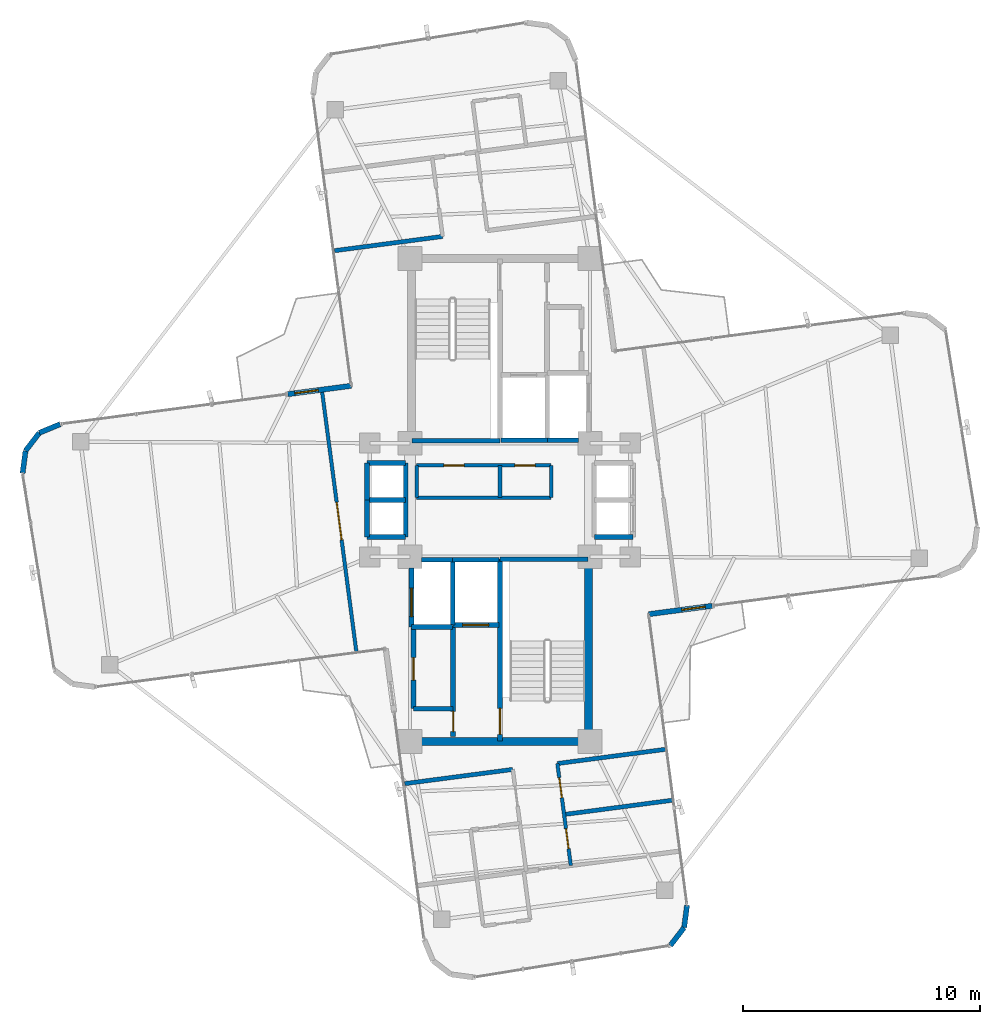
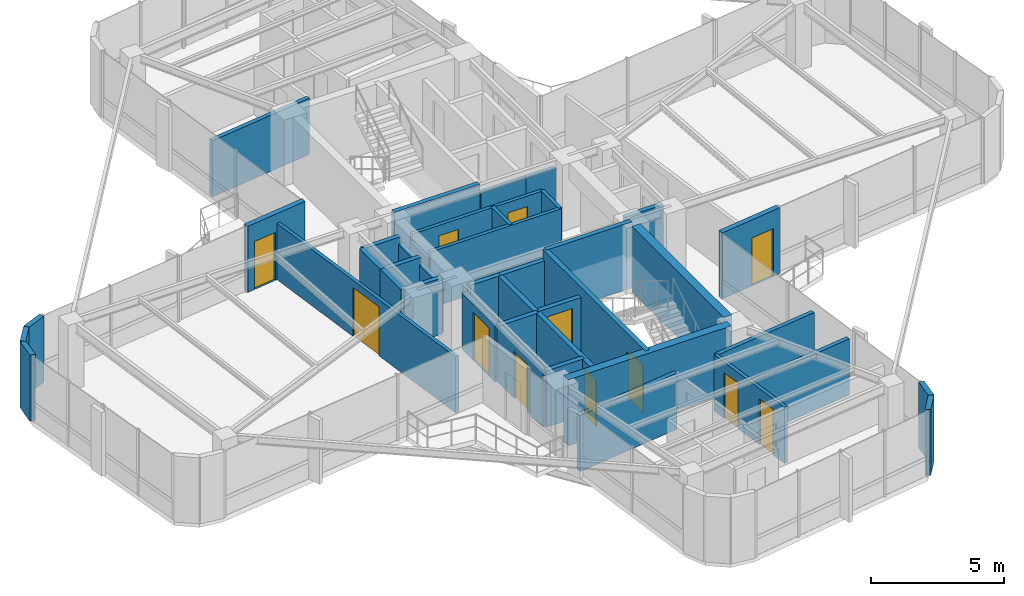
# One storey, part 19 of 22: 41 walls, 12 doors, 12 openings.
"""IFC4 building model written with IfcOpenShell, lengths in metres."""

from ifc_helpers import new_model, si_unit, direction, frame, frame_2d, origin, origin_2d, place, context, subcontext, project, spatial, rectangle, extrude, source, transform, mapped, material, layer, layer_set, type_object, element, fill, save


model = new_model("IFC4")

# Units and contexts
model_context = context("Model", 3, precision=1e-05, world=origin(), true_north=direction((0.0, 1.0)))
body_context = subcontext(model_context, "Body", "Model", "MODEL_VIEW")
ifc_project = project(units=[si_unit("LENGTHUNIT", "METRE"), si_unit("AREAUNIT", "SQUARE_METRE"), si_unit("VOLUMEUNIT", "CUBIC_METRE"), si_unit("PLANEANGLEUNIT", "RADIAN"), si_unit("MASSUNIT", "GRAM", prefix="KILO")], contexts=[model_context])

# Site, building, storey
site_placement = place(None, origin())
site = spatial("IfcSite", under=ifc_project, at=site_placement, CompositionType="ELEMENT")
building_placement = place(site_placement, origin())
building = spatial("IfcBuilding", under=site, at=building_placement, Name="Sahyath Konkavel Grand Hotel", CompositionType="ELEMENT")
storey_placement = place(building_placement, frame((0.0, 0.0, 261.25)))
storey = spatial("IfcBuildingStorey", under=building, at=storey_placement, Name="L73", CompositionType="ELEMENT", Elevation=261.25)

# Walls
ifc_material_1 = material(Name="Concrete C40/50", Category="concrete")
ifc_layer_1 = layer(ifc_material_1, 0.35009765625)
ifc_layer_set_1 = layer_set([ifc_layer_1], Name="Concrete C40/50")
wall_type_1 = type_object("IfcWallType", Name="CWALL-350", PredefinedType="SHEAR", material=ifc_layer_set_1)
wall_1_placement = place(storey_placement, frame((-3.550048828125, -10.199951171875, 0.0), z_axis=(0.0, 0.0, 1.0), x_axis=(1.0, 0.0, 0.0)))
element("IfcWall", 1, at=wall_1_placement, inside=storey, type_object=wall_type_1, Name="L73 South Core Shear Wall S", PredefinedType="SHEAR", context=body_context, shape_type="SweptSolid", body=[
    extrude(rectangle(XDim=7.10009765625, YDim=0.35009765625, at=frame_2d((3.550048828125, 0.0))), origin(), (0.0, 0.0, 1.0), 3.030029296875),
])
wall_2_placement = place(storey_placement, frame((3.739990234375, -9.75, 0.0), z_axis=(0.0, 0.0, 1.0), x_axis=(0.0, 1.0, 0.0)))
element("IfcWall", 2, at=wall_2_placement, inside=storey, type_object=wall_type_1, Name="L73 South Core Shear Wall E", PredefinedType="SHEAR", context=body_context, shape_type="SweptSolid", body=[
    extrude(rectangle(XDim=6.89990234375, YDim=0.35009765625, at=frame_2d((3.449951171875, 0.0))), origin(), (0.0, 0.0, 1.0), 3.030029296875),
])

# Wall, opening, door
ifc_material_2 = material(Name="Warm Buff Sandstone Insulated Concrete C40/50", Category="masonry")
ifc_layer_2 = layer(ifc_material_2, 0.219970703125)
ifc_layer_set_2 = layer_set([ifc_layer_2], Name="Warm Buff Sandstone Insulated Concrete C40/50")
wall_type_2 = type_object("IfcWallType", Name="WLL-BALC-THRESH", PredefinedType="STANDARD", material=ifc_layer_set_2)
wall_3_placement = place(storey_placement, frame((6.282958984375, -4.821044921875, 0.0), z_axis=(0.0, 0.0, 1.0), x_axis=(0.991451525486, 0.130475563272, 0.0)))
wall_3 = element("IfcWall", 3, at=wall_3_placement, inside=storey, type_object=wall_type_2, Name="L73 Winter-Garden Threshold Wall 0", PredefinedType="STANDARD", context=body_context, shape_type="SweptSolid", body=[
    extrude(rectangle(XDim=2.7001953125, YDim=0.219970703125, at=frame_2d((1.35009765625, 0.0))), origin(), (0.0, 0.0, 1.0), 3.030029296875),
])
opening_1_placement = place(wall_3_placement, frame((1.39990234375, 0.0, 0.0)))
opening_1 = element("IfcOpeningElement", 4, at=opening_1_placement, cuts=wall_3, Name="Opening D-TR1", PredefinedType="OPENING", context=body_context, shape_type="SweptSolid", body=[
    extrude(rectangle(XDim=1.0, YDim=2.199951171875, at=frame_2d((0.5, 1.10009765625))), frame((0.0, 0.1201171875, 0.0), z_axis=(0.0, -1.0, 0.0), x_axis=(1.0, 0.0, 0.0)), (0.0, 0.0, 1.0), 0.239990234375),
])
ifc_material_3 = material(Name="Anodised Bronze Aluminium & Low-E Glazing", Category="aluminium")
door_type_1 = type_object("IfcDoorType", Name="DR-TERRACE-1000", OperationType="NOTDEFINED", PredefinedType="DOOR", material=ifc_material_3)
shared_shape_1 = source(origin(), body_context, "Body", "SweptSolid", [
    extrude(rectangle(XDim=1.0, YDim=0.050048828125, at=origin_2d()), origin(), (0.0, 0.0, 1.0), 2.199951171875),
])
door_1_placement = place(opening_1_placement, frame((0.5, 0.0, 0.0)))
door_1 = element("IfcDoor", 5, at=door_1_placement, inside=storey, type_object=door_type_1, Name="L73 Winter-Garden Terrace Door 0", OperationType="SINGLE_SWING_LEFT", OverallHeight=2.199951171875, OverallWidth=1.0, PredefinedType="DOOR", context=body_context, shape_type="MappedRepresentation", body=[
    mapped(shared_shape_1, transform((0.0, 0.0, 0.0), scale=1.0)),
])
fill(opening_1, door_1)

wall_4_placement = place(storey_placement, frame((-6.282958984375, 4.821044921875, 0.0), z_axis=(0.0, 0.0, 1.0), x_axis=(-0.991451525486, -0.130475563272, 0.0)))
wall_4 = element("IfcWall", 6, at=wall_4_placement, inside=storey, type_object=wall_type_2, Name="L73 Winter-Garden Threshold Wall 16", PredefinedType="STANDARD", context=body_context, shape_type="SweptSolid", body=[
    extrude(rectangle(XDim=2.7001953125, YDim=0.219970703125, at=frame_2d((1.35009765625, 0.0))), origin(), (0.0, 0.0, 1.0), 3.030029296875),
])
opening_2_placement = place(wall_4_placement, frame((1.39990234375, 0.0, 0.0)))
opening_2 = element("IfcOpeningElement", 7, at=opening_2_placement, cuts=wall_4, Name="Opening D-TR1", PredefinedType="OPENING", context=body_context, shape_type="SweptSolid", body=[
    extrude(rectangle(XDim=1.0, YDim=2.199951171875, at=frame_2d((0.5, 1.10009765625))), frame((0.0, 0.1201171875, 0.0), z_axis=(0.0, -1.0, 0.0), x_axis=(1.0, 0.0, 0.0)), (0.0, 0.0, 1.0), 0.239990234375),
])
door_2_placement = place(opening_2_placement, frame((0.5, 0.0, 0.0)))
door_2 = element("IfcDoor", 8, at=door_2_placement, inside=storey, type_object=door_type_1, Name="L73 Winter-Garden Terrace Door 16", OperationType="SINGLE_SWING_LEFT", OverallHeight=2.199951171875, OverallWidth=1.0, PredefinedType="DOOR", context=body_context, shape_type="MappedRepresentation", body=[
    mapped(shared_shape_1, transform((0.0, 0.0, 0.0), scale=1.0)),
])
fill(opening_2, door_2)

# Walls
wall_5_placement = place(storey_placement, frame((-18.56689453125, 3.203857421875, 0.0), z_axis=(0.0, 0.0, 1.0), x_axis=(-0.923926759112, -0.382569397359, 0.0)))
element("IfcWall", 9, at=wall_5_placement, inside=storey, type_object=wall_type_2, Name="L73 Rounded Corner Sandstone Pier 17", PredefinedType="STANDARD", context=body_context, shape_type="SweptSolid", body=[
    extrude(rectangle(XDim=0.957763671875, YDim=0.219970703125, at=frame_2d((0.47900390625, 0.0))), origin(), (0.0, 0.0, 1.0), 3.030029296875),
])
for number, where, z_axis, x_axis, name in (
    (10, (-19.451904296875, 2.83740234375, 0.0), (0.0, 0.0, 1.0), (-0.60861352168, -0.793466811674, 0.0), "L73 Rounded Corner Sandstone Pier 18"),
    (11, (-20.03466796875, 2.07763671875, 0.0), (0.0, 0.0, 1.0), (-0.13056005306, -0.991440402921, 0.0), "L73 Rounded Corner Sandstone Pier 19"),
    (12, (7.1923828125, -18.814208984375, 0.0), (0.0, 0.0, 1.0), (0.608897151398, 0.793249178392, 0.0), "L73 Rounded Corner Sandstone Pier 29"),
):
    element("IfcWall", number, at=place(storey_placement, frame(where, z_axis=z_axis, x_axis=x_axis)), inside=storey, type_object=wall_type_2, Name=name, PredefinedType="STANDARD", context=body_context, shape_type="SweptSolid", body=[
        extrude(rectangle(XDim=0.95751953125, YDim=0.219970703125, at=frame_2d((0.478759765625, 0.0))), origin(), (0.0, 0.0, 1.0), 3.030029296875),
    ])
wall_6_placement = place(storey_placement, frame((7.775390625, -18.0546875, 0.0), z_axis=(0.0, 0.0, 1.0), x_axis=(0.130494070426, 0.991449089759, 0.0)))
element("IfcWall", 13, at=wall_6_placement, inside=storey, type_object=wall_type_2, Name="L73 Rounded Corner Sandstone Pier 30", PredefinedType="STANDARD", context=body_context, shape_type="SweptSolid", body=[
    extrude(rectangle(XDim=0.9580078125, YDim=0.219970703125, at=frame_2d((0.47900390625, 0.0))), origin(), (0.0, 0.0, 1.0), 3.030029296875),
])
ifc_layer_3 = layer(ifc_material_1, 0.199951171875)
ifc_layer_set_3 = layer_set([ifc_layer_3], Name="Concrete C40/50")
wall_type_3 = type_object("IfcWallType", Name="WLL-CORE-200", PredefinedType="SOLIDWALL", material=ifc_layer_set_3)
wall_7_placement = place(storey_placement, frame((-3.719970703125, 2.5, 0.0), z_axis=(0.0, 0.0, 1.0), x_axis=(1.0, 0.0, 0.0)))
element("IfcWall", 14, at=wall_7_placement, inside=storey, type_object=wall_type_3, Name="L73 Stair ST-1 Shaft Wall S", PredefinedType="SOLIDWALL", context=body_context, shape_type="SweptSolid", body=[
    extrude(rectangle(XDim=3.719970703125, YDim=0.199951171875, at=frame_2d((1.85986328125, 0.0))), origin(), (0.0, 0.0, 1.0), 3.030029296875),
])

# Wall, opening, door
wall_8_placement = place(storey_placement, frame((0.0, -10.179931640625, 0.0), z_axis=(0.0, 0.0, 1.0), x_axis=(0.0, 1.0, 0.0)))
wall_8 = element("IfcWall", 15, at=wall_8_placement, inside=storey, type_object=wall_type_3, Name="L73 Stair ST-2 Shaft Wall W", PredefinedType="SOLIDWALL", context=body_context, shape_type="SweptSolid", body=[
    extrude(rectangle(XDim=7.679931640625, YDim=0.199951171875, at=frame_2d((3.83984375, 0.0))), origin(), (0.0, 0.0, 1.0), 3.030029296875),
])
opening_3_placement = place(wall_8_placement, frame((0.280029296875, 0.0, 0.0)))
opening_3 = element("IfcOpeningElement", 16, at=opening_3_placement, cuts=wall_8, Name="Opening D-F12B", PredefinedType="OPENING", context=body_context, shape_type="SweptSolid", body=[
    extrude(rectangle(XDim=1.10009765625, YDim=2.14990234375, at=frame_2d((0.550048828125, 1.074951171875))), frame((0.0, 0.10986328125, 0.0), z_axis=(0.0, -1.0, 0.0), x_axis=(1.0, 0.0, 0.0)), (0.0, 0.0, 1.0), 0.219970703125),
])
ifc_material_4 = material(Name="Steel E350 Smokeproof Fire Door", Category="steel")
door_type_2 = type_object("IfcDoorType", Name="DR-FD120-1100", OperationType="NOTDEFINED", PredefinedType="DOOR", material=ifc_material_4)
shared_shape_2 = source(origin(), body_context, "Body", "SweptSolid", [
    extrude(rectangle(XDim=1.10009765625, YDim=0.050048828125, at=origin_2d()), origin(), (0.0, 0.0, 1.0), 2.14990234375),
])
door_3_placement = place(opening_3_placement, frame((0.550048828125, 0.0, 0.0)))
door_3 = element("IfcDoor", 17, at=door_3_placement, inside=storey, type_object=door_type_2, Name="L73 Stair ST-2 Fire Door", OperationType="SINGLE_SWING_RIGHT", OverallHeight=2.14990234375, OverallWidth=1.10009765625, PredefinedType="DOOR", context=body_context, shape_type="MappedRepresentation", body=[
    mapped(shared_shape_2, transform((0.0, 0.0, 0.0), scale=1.0)),
])
fill(opening_3, door_3)

# Wall
wall_9_placement = place(storey_placement, frame((0.0, -2.5, 0.0), z_axis=(0.0, 0.0, 1.0), x_axis=(1.0, 0.0, 0.0)))
element("IfcWall", 18, at=wall_9_placement, inside=storey, type_object=wall_type_3, Name="L73 Stair ST-2 Shaft Wall N", PredefinedType="SOLIDWALL", context=body_context, shape_type="SweptSolid", body=[
    extrude(rectangle(XDim=3.719970703125, YDim=0.199951171875, at=frame_2d((1.85986328125, 0.0))), origin(), (0.0, 0.0, 1.0), 3.030029296875),
])

# Wall, opening, door
wall_10_placement = place(storey_placement, frame((-1.97998046875, -9.97998046875, 0.0), z_axis=(0.0, 0.0, 1.0), x_axis=(0.0, 1.0, 0.0)))
wall_10 = element("IfcWall", 19, at=wall_10_placement, inside=storey, type_object=wall_type_3, Name="L73 South Firefighting Lobby Wall W", PredefinedType="SOLIDWALL", context=body_context, shape_type="SweptSolid", body=[
    extrude(rectangle(XDim=4.659912109375, YDim=0.199951171875, at=frame_2d((2.330078125, 0.0))), origin(), (0.0, 0.0, 1.0), 2.580078125),
])
opening_4_placement = place(wall_10_placement, frame((0.199951171875, 0.0, 0.0)))
opening_4 = element("IfcOpeningElement", 20, at=opening_4_placement, cuts=wall_10, Name="Opening D-F12D", PredefinedType="OPENING", context=body_context, shape_type="SweptSolid", body=[
    extrude(rectangle(XDim=0.85009765625, YDim=2.10009765625, at=frame_2d((0.425048828125, 1.050048828125))), frame((0.0, 0.10986328125, 0.0), z_axis=(0.0, -1.0, 0.0), x_axis=(1.0, 0.0, 0.0)), (0.0, 0.0, 1.0), 0.219970703125),
])
ifc_material_5 = material(Name="Steel E350 Core Fire Door", Category="steel")
door_type_3 = type_object("IfcDoorType", Name="DR-FD120-850", OperationType="NOTDEFINED", PredefinedType="DOOR", material=ifc_material_5)
shared_shape_3 = source(origin(), body_context, "Body", "SweptSolid", [
    extrude(rectangle(XDim=0.85009765625, YDim=0.050048828125, at=origin_2d()), origin(), (0.0, 0.0, 1.0), 2.10009765625),
])
door_4_placement = place(opening_4_placement, frame((0.425048828125, 0.0, 0.0)))
door_4 = element("IfcDoor", 21, at=door_4_placement, inside=storey, type_object=door_type_3, Name="L73 South Firefighting Lobby Door", OperationType="SINGLE_SWING_RIGHT", OverallHeight=2.10009765625, OverallWidth=0.85009765625, PredefinedType="DOOR", context=body_context, shape_type="MappedRepresentation", body=[
    mapped(shared_shape_3, transform((0.0, 0.0, 0.0), scale=1.0)),
])
fill(opening_4, door_4)

# Walls
wall_11_placement = place(storey_placement, frame((0.050048828125, 2.52001953125, 0.0), z_axis=(0.0, 0.0, 1.0), x_axis=(1.0, 0.0, 0.0)))
element("IfcWall", 22, at=wall_11_placement, inside=storey, type_object=wall_type_3, Name="L73 Partition SH-FFL1-S", PredefinedType="SOLIDWALL", context=body_context, shape_type="SweptSolid", body=[
    extrude(rectangle(XDim=1.949951171875, YDim=0.199951171875, at=frame_2d((0.97509765625, 0.0))), origin(), (0.0, 0.0, 1.0), 2.580078125),
])
wall_12_placement = place(storey_placement, frame((-2.0, -5.280029296875, 0.0), z_axis=(0.0, 0.0, 1.0), x_axis=(0.0, 1.0, 0.0)))
element("IfcWall", 23, at=wall_12_placement, inside=storey, type_object=wall_type_3, Name="L73 Partition SH-FFL2-W", PredefinedType="SOLIDWALL", context=body_context, shape_type="SweptSolid", body=[
    extrude(rectangle(XDim=2.780029296875, YDim=0.199951171875, at=frame_2d((1.39013671875, 0.0))), origin(), (0.0, 0.0, 1.0), 2.580078125),
])
wall_13_placement = place(storey_placement, frame((-2.0, -2.52001953125, 0.0), z_axis=(0.0, 0.0, 1.0), x_axis=(1.0, 0.0, 0.0)))
element("IfcWall", 24, at=wall_13_placement, inside=storey, type_object=wall_type_3, Name="L73 Partition SH-FFL2-N", PredefinedType="SOLIDWALL", context=body_context, shape_type="SweptSolid", body=[
    extrude(rectangle(XDim=1.949951171875, YDim=0.199951171875, at=frame_2d((0.97509765625, 0.0))), origin(), (0.0, 0.0, 1.0), 2.580078125),
])

# Wall, opening, door
wall_14_placement = place(storey_placement, frame((-1.97998046875, -5.280029296875, 0.0), z_axis=(0.0, 0.0, 1.0), x_axis=(1.0, 0.0, 0.0)))
wall_14 = element("IfcWall", 25, at=wall_14_placement, inside=storey, type_object=wall_type_3, Name="L73 Partition SH-FFL2-S", PredefinedType="SOLIDWALL", context=body_context, shape_type="SweptSolid", body=[
    extrude(rectangle(XDim=1.929931640625, YDim=0.199951171875, at=frame_2d((0.96484375, 0.0))), origin(), (0.0, 0.0, 1.0), 2.580078125),
])
opening_5_placement = place(wall_14_placement, frame((0.39990234375, 0.0, 0.0)))
opening_5 = element("IfcOpeningElement", 26, at=opening_5_placement, cuts=wall_14, Name="Opening LD-11", PredefinedType="OPENING", context=body_context, shape_type="SweptSolid", body=[
    extrude(rectangle(XDim=1.10009765625, YDim=2.199951171875, at=frame_2d((0.550048828125, 1.10009765625))), frame((0.0, 0.10986328125, 0.0), z_axis=(0.0, -1.0, 0.0), x_axis=(1.0, 0.0, 0.0)), (0.0, 0.0, 1.0), 0.219970703125),
])
ifc_material_6 = material(Name="Bronze Lift Landing Door 1100")
door_type_4 = type_object("IfcDoorType", Name="DR-LIFT-1100", OperationType="DOUBLE_DOOR_SLIDING", PredefinedType="DOOR", material=ifc_material_6)
shared_shape_4 = source(origin(), body_context, "Body", "SweptSolid", [
    extrude(rectangle(XDim=1.10009765625, YDim=0.050048828125, at=origin_2d()), origin(), (0.0, 0.0, 1.0), 2.199951171875),
])
door_5_placement = place(opening_5_placement, frame((0.550048828125, 0.0, 0.0)))
door_5 = element("IfcDoor", 27, at=door_5_placement, inside=storey, type_object=door_type_4, Name="L73 Lift FFL-2 Landing Door", OperationType="DOUBLE_DOOR_SLIDING", OverallHeight=2.199951171875, OverallWidth=1.10009765625, PredefinedType="DOOR", context=body_context, shape_type="MappedRepresentation", body=[
    mapped(shared_shape_4, transform((0.0, 0.0, 0.0), scale=1.0)),
])
fill(opening_5, door_5)

# Walls
for number, where, z_axis, x_axis, name in (
    (28, (2.0, 2.52001953125, 0.0), (0.0, 0.0, 1.0), (1.0, 0.0, 0.0), "L73 Partition SH-SVL1-S"),
    (29, (-3.320068359375, -2.52001953125, 0.0), (0.0, 0.0, 1.0), (1.0, 0.0, 0.0), "L73 Partition SH-SVL2-N"),
):
    element("IfcWall", number, at=place(storey_placement, frame(where, z_axis=z_axis, x_axis=x_axis)), inside=storey, type_object=wall_type_3, Name=name, PredefinedType="SOLIDWALL", context=body_context, shape_type="SweptSolid", body=[
        extrude(rectangle(XDim=1.320068359375, YDim=0.199951171875, at=frame_2d((0.66015625, 0.0))), origin(), (0.0, 0.0, 1.0), 2.580078125),
    ])
wall_15_placement = place(storey_placement, frame((-3.739990234375, -5.360107421875, 0.0), z_axis=(0.0, 0.0, 1.0), x_axis=(1.0, 0.0, 0.0)))
element("IfcWall", 30, at=wall_15_placement, inside=storey, type_object=wall_type_3, Name="L73 Partition SH-SVL2-S", PredefinedType="SOLIDWALL", context=body_context, shape_type="SweptSolid", body=[
    extrude(rectangle(XDim=1.739990234375, YDim=0.199951171875, at=frame_2d((0.8701171875, 0.0))), origin(), (0.0, 0.0, 1.0), 2.580078125),
])

# Wall, opening, door
wall_16_placement = place(storey_placement, frame((-3.739990234375, -5.360107421875, 0.0), z_axis=(0.0, 0.0, 1.0), x_axis=(0.0, 1.0, 0.0)))
wall_16 = element("IfcWall", 31, at=wall_16_placement, inside=storey, type_object=wall_type_3, Name="L73 Partition SH-SVL2-W", PredefinedType="SOLIDWALL", context=body_context, shape_type="SweptSolid", body=[
    extrude(rectangle(XDim=2.480224609375, YDim=0.199951171875, at=frame_2d((1.240234375, 0.0))), origin(), (0.0, 0.0, 1.0), 2.580078125),
])
opening_6_placement = place(wall_16_placement, frame((0.43994140625, 0.0, 0.0)))
opening_6 = element("IfcOpeningElement", 32, at=opening_6_placement, cuts=wall_16, Name="Opening LD-12", PredefinedType="OPENING", context=body_context, shape_type="SweptSolid", body=[
    extrude(rectangle(XDim=1.199951171875, YDim=2.199951171875, at=frame_2d((0.60009765625, 1.10009765625))), frame((0.0, 0.10986328125, 0.0), z_axis=(0.0, -1.0, 0.0), x_axis=(1.0, 0.0, 0.0)), (0.0, 0.0, 1.0), 0.219970703125),
])
ifc_material_7 = material(Name="Stainless Steel Lift Landing Door 1200", Category="steel")
door_type_5 = type_object("IfcDoorType", Name="DR-LIFT-1200", OperationType="DOUBLE_DOOR_SLIDING", PredefinedType="DOOR", material=ifc_material_7)
shared_shape_5 = source(origin(), body_context, "Body", "SweptSolid", [
    extrude(rectangle(XDim=1.199951171875, YDim=0.050048828125, at=origin_2d()), origin(), (0.0, 0.0, 1.0), 2.199951171875),
])
door_6_placement = place(opening_6_placement, frame((0.60009765625, 0.0, 0.0)))
door_6 = element("IfcDoor", 33, at=door_6_placement, inside=storey, type_object=door_type_5, Name="L73 Service Lift SVL-2 Landing Door", OperationType="DOUBLE_DOOR_SLIDING", OverallHeight=2.199951171875, OverallWidth=1.199951171875, PredefinedType="DOOR", context=body_context, shape_type="MappedRepresentation", body=[
    mapped(shared_shape_5, transform((0.0, 0.0, 0.0), scale=1.0)),
])
fill(opening_6, door_6)

# Walls
wall_17_placement = place(storey_placement, frame((3.97998046875, -1.56005859375, 0.0), z_axis=(0.0, 0.0, 1.0), x_axis=(1.0, 0.0, 0.0)))
element("IfcWall", 34, at=wall_17_placement, inside=storey, type_object=wall_type_3, Name="L73 Partition SH-PL56-S", PredefinedType="SOLIDWALL", context=body_context, shape_type="SweptSolid", body=[
    extrude(rectangle(XDim=1.64013671875, YDim=0.199951171875, at=frame_2d((0.820068359375, 0.0))), origin(), (0.0, 0.0, 1.0), 2.580078125),
])
wall_18_placement = place(storey_placement, frame((-3.97998046875, -1.56005859375, 0.0), z_axis=(0.0, 0.0, 1.0), x_axis=(0.0, 1.0, 0.0)))
element("IfcWall", 35, at=wall_18_placement, inside=storey, type_object=wall_type_3, Name="L73 Partition SH-SL12-E", PredefinedType="SOLIDWALL", context=body_context, shape_type="SweptSolid", body=[
    extrude(rectangle(XDim=3.1201171875, YDim=0.199951171875, at=frame_2d((1.56005859375, 0.0))), origin(), (0.0, 0.0, 1.0), 2.25),
])
for number, where, z_axis, x_axis, name in (
    (36, (-5.6201171875, 1.56005859375, 0.0), (0.0, 0.0, 1.0), (1.0, 0.0, 0.0), "L73 Partition SH-SL12-N"),
    (37, (-5.6201171875, -1.56005859375, 0.0), (0.0, 0.0, 1.0), (1.0, 0.0, 0.0), "L73 Partition SH-SL12-S"),
    (38, (-5.6201171875, 0.0, 0.0), (0.0, 0.0, 1.0), (1.0, 0.0, 0.0), "L73 Partition SH-SL12-M"),
):
    element("IfcWall", number, at=place(storey_placement, frame(where, z_axis=z_axis, x_axis=x_axis)), inside=storey, type_object=wall_type_3, Name=name, PredefinedType="SOLIDWALL", context=body_context, shape_type="SweptSolid", body=[
        extrude(rectangle(XDim=1.64013671875, YDim=0.199951171875, at=frame_2d((0.820068359375, 0.0))), origin(), (0.0, 0.0, 1.0), 2.580078125),
    ])
for number, where, z_axis, x_axis, name in (
    (39, (-5.6201171875, 0.0, 0.0), (0.0, 0.0, 1.0), (0.0, 1.0, 0.0), "L73 Partition SH-SL1-W"),
    (40, (-5.6201171875, -1.56005859375, 0.0), (0.0, 0.0, 1.0), (0.0, 1.0, 0.0), "L73 Partition SH-SL2-W"),
):
    element("IfcWall", number, at=place(storey_placement, frame(where, z_axis=z_axis, x_axis=x_axis)), inside=storey, type_object=wall_type_3, Name=name, PredefinedType="SOLIDWALL", context=body_context, shape_type="SweptSolid", body=[
        extrude(rectangle(XDim=1.56005859375, YDim=0.199951171875, at=frame_2d((0.780029296875, 0.0))), origin(), (0.0, 0.0, 1.0), 2.580078125),
    ])

# Wall, opening, door
wall_19_placement = place(storey_placement, frame((-3.64990234375, -8.81005859375, 0.0), z_axis=(0.0, 0.0, 1.0), x_axis=(0.0, 1.0, 0.0)))
wall_19 = element("IfcWall", 41, at=wall_19_placement, inside=storey, type_object=wall_type_3, Name="L73 Reclaimed South Core Wall W", PredefinedType="SOLIDWALL", context=body_context, shape_type="SweptSolid", body=[
    extrude(rectangle(XDim=3.43017578125, YDim=0.199951171875, at=frame_2d((1.715087890625, 0.0))), origin(), (0.0, 0.0, 1.0), 2.580078125),
])
opening_7_placement = place(wall_19_placement, frame((1.199951171875, 0.0, 0.0)))
opening_7 = element("IfcOpeningElement", 42, at=opening_7_placement, cuts=wall_19, Name="Opening D-AC95", PredefinedType="OPENING", context=body_context, shape_type="SweptSolid", body=[
    extrude(rectangle(XDim=0.949951171875, YDim=2.14990234375, at=frame_2d((0.47509765625, 1.074951171875))), frame((0.0, 0.10986328125, 0.0), z_axis=(0.0, -1.0, 0.0), x_axis=(1.0, 0.0, 0.0)), (0.0, 0.0, 1.0), 0.219970703125),
])
ifc_material_8 = material(Name="Accessible Washroom Timber Door", Category="wood")
door_type_6 = type_object("IfcDoorType", Name="DR-ACC-950", OperationType="NOTDEFINED", PredefinedType="DOOR", material=ifc_material_8)
shared_shape_6 = source(origin(), body_context, "Body", "SweptSolid", [
    extrude(rectangle(XDim=0.949951171875, YDim=0.050048828125, at=origin_2d()), origin(), (0.0, 0.0, 1.0), 2.14990234375),
])
door_7_placement = place(opening_7_placement, frame((0.47509765625, 0.0, 0.0)))
door_7 = element("IfcDoor", 43, at=door_7_placement, inside=storey, type_object=door_type_6, Name="L73 Door SC-REC1-D", OperationType="SINGLE_SWING_RIGHT", OverallHeight=2.14990234375, OverallWidth=0.949951171875, PredefinedType="DOOR", context=body_context, shape_type="MappedRepresentation", body=[
    mapped(shared_shape_6, transform((0.0, 0.0, 0.0), scale=1.0)),
])
fill(opening_7, door_7)

# Walls
wall_20_placement = place(storey_placement, frame((-3.64990234375, -8.81005859375, 0.0), z_axis=(0.0, 0.0, 1.0), x_axis=(1.0, 0.0, 0.0)))
element("IfcWall", 44, at=wall_20_placement, inside=storey, type_object=wall_type_3, Name="L73 Partition SC-REC-S", PredefinedType="SOLIDWALL", context=body_context, shape_type="SweptSolid", body=[
    extrude(rectangle(XDim=1.669921875, YDim=0.199951171875, at=frame_2d((0.8349609375, 0.0))), origin(), (0.0, 0.0, 1.0), 2.580078125),
])
ifc_material_9 = material(Name="Twin-Stud Acoustic Gypsum Plasterboard Partition")
ifc_layer_4 = layer(ifc_material_9, 0.179931640625)
ifc_layer_set_4 = layer_set([ifc_layer_4], Name="Twin-Stud Acoustic Gypsum Plasterboard Partition")
wall_type_4 = type_object("IfcWallType", Name="WLL-DEMISE-180", PredefinedType="PARTITIONING", material=ifc_layer_set_4)
for number, where, z_axis, x_axis, name in (
    (45, (-2.42333984375, 11.12890625, 0.0), (0.0, 0.0, 1.0), (-0.991446706518, -0.130512176195, 0.0), "L73 Partition N-INL"),
    (46, (2.42333984375, -11.12890625, 0.0), (0.0, 0.0, 1.0), (0.991446706518, 0.130512176195, 0.0), "L73 Partition S-INL"),
    (47, (-4.02099609375, -11.977294921875, 0.0), (0.0, 0.0, 1.0), (0.991446706518, 0.130512176195, 0.0), "L73 Partition S-INR"),
    (48, (2.70654296875, -13.2802734375, 0.0), (0.0, 0.0, 1.0), (0.991446706518, 0.130512176195, 0.0), "L73 Partition S-S4L1-DEM"),
):
    element("IfcWall", number, at=place(storey_placement, frame(where, z_axis=z_axis, x_axis=x_axis)), inside=storey, type_object=wall_type_4, Name=name, PredefinedType="PARTITIONING", context=body_context, shape_type="SweptSolid", body=[
        extrude(rectangle(XDim=4.599853515625, YDim=0.179931640625, at=frame_2d((2.2998046875, 0.0))), origin(), (0.0, 0.0, 1.0), 2.580078125),
    ])
ifc_material_10 = material(Name="Fire-Rated Gypsum Plasterboard Partition")
ifc_layer_5 = layer(ifc_material_10, 0.14990234375)
ifc_layer_set_5 = layer_set([ifc_layer_5], Name="Fire-Rated Gypsum Plasterboard Partition")
wall_type_5 = type_object("IfcWallType", Name="WLL-PART-150", PredefinedType="PARTITIONING", material=ifc_layer_set_5)
wall_21_placement = place(storey_placement, frame((-3.52001953125, 0.10009765625, 0.0), z_axis=(0.0, 0.0, 1.0), x_axis=(1.0, 0.0, 0.0)))
element("IfcWall", 49, at=wall_21_placement, inside=storey, type_object=wall_type_5, Name="L73 Partition CC-S0-FIX", PredefinedType="PARTITIONING", context=body_context, shape_type="SweptSolid", body=[
    extrude(rectangle(XDim=5.679931640625, YDim=0.14990234375, at=frame_2d((2.83984375, 0.0))), origin(), (0.0, 0.0, 1.0), 2.580078125),
])

# Wall, openings, doors
wall_22_placement = place(storey_placement, frame((-3.52001953125, 1.4599609375, 0.0), z_axis=(0.0, 0.0, 1.0), x_axis=(1.0, 0.0, 0.0)))
wall_22 = element("IfcWall", 50, at=wall_22_placement, inside=storey, type_object=wall_type_5, Name="L73 Partition CC-N0", PredefinedType="PARTITIONING", context=body_context, shape_type="SweptSolid", body=[
    extrude(rectangle(XDim=5.679931640625, YDim=0.14990234375, at=frame_2d((2.83984375, 0.0))), origin(), (0.0, 0.0, 1.0), 2.580078125),
])
opening_8_placement = place(wall_22_placement, frame((1.14990234375, 0.0, 0.0)))
opening_8 = element("IfcOpeningElement", 51, at=opening_8_placement, cuts=wall_22, Name="Opening D-F06D", PredefinedType="OPENING", context=body_context, shape_type="SweptSolid", body=[
    extrude(rectangle(XDim=0.85009765625, YDim=2.10009765625, at=frame_2d((0.425048828125, 1.050048828125))), frame((0.0, 0.0849609375, 0.0), z_axis=(0.0, -1.0, 0.0), x_axis=(1.0, 0.0, 0.0)), (0.0, 0.0, 1.0), 0.169921875),
])
opening_9_placement = place(wall_22_placement, frame((4.14990234375, 0.0, 0.0)))
opening_9 = element("IfcOpeningElement", 52, at=opening_9_placement, cuts=wall_22, Name="Opening D-F06D", PredefinedType="OPENING", context=body_context, shape_type="SweptSolid", body=[
    extrude(rectangle(XDim=0.85009765625, YDim=2.10009765625, at=frame_2d((0.425048828125, 1.050048828125))), frame((0.0, 0.0849609375, 0.0), z_axis=(0.0, -1.0, 0.0), x_axis=(1.0, 0.0, 0.0)), (0.0, 0.0, 1.0), 0.169921875),
])
ifc_material_11 = material(Name="Fire-Rated Shaft Access Door")
door_type_7 = type_object("IfcDoorType", Name="DR-FD60-850", OperationType="NOTDEFINED", PredefinedType="DOOR", material=ifc_material_11)
door_8_placement = place(opening_8_placement, frame((0.425048828125, 0.0, 0.0)))
door_8 = element("IfcDoor", 53, at=door_8_placement, inside=storey, type_object=door_type_7, Name="L73 Door CC-D0A", OperationType="SINGLE_SWING_LEFT", OverallHeight=2.10009765625, OverallWidth=0.85009765625, PredefinedType="DOOR", context=body_context, shape_type="MappedRepresentation", body=[
    mapped(shared_shape_3, transform((0.0, 0.0, 0.0), scale=1.0)),
])
fill(opening_8, door_8)
door_9_placement = place(opening_9_placement, frame((0.425048828125, 0.0, 0.0)))
door_9 = element("IfcDoor", 54, at=door_9_placement, inside=storey, type_object=door_type_7, Name="L73 Door CC-D0B", OperationType="SINGLE_SWING_RIGHT", OverallHeight=2.10009765625, OverallWidth=0.85009765625, PredefinedType="DOOR", context=body_context, shape_type="MappedRepresentation", body=[
    mapped(shared_shape_3, transform((0.0, 0.0, 0.0), scale=1.0)),
])
fill(opening_9, door_9)

# Walls
wall_23_placement = place(storey_placement, frame((-3.52001953125, 0.10009765625, 0.0), z_axis=(0.0, 0.0, 1.0), x_axis=(0.0, 1.0, 0.0)))
element("IfcWall", 55, at=wall_23_placement, inside=storey, type_object=wall_type_5, Name="L73 Partition CC-W0", PredefinedType="PARTITIONING", context=body_context, shape_type="SweptSolid", body=[
    extrude(rectangle(XDim=1.35986328125, YDim=0.14990234375, at=frame_2d((0.679931640625, 0.0))), origin(), (0.0, 0.0, 1.0), 2.25),
])
for number, where, z_axis, x_axis, name in (
    (56, (2.159912109375, 0.10009765625, 0.0), (0.0, 0.0, 1.0), (0.0, 1.0, 0.0), "L73 Partition CC-E0"),
    (57, (0.0, 0.10009765625, 0.0), (0.0, 0.0, 1.0), (0.0, 1.0, 0.0), "L73 Partition CC-M0"),
):
    element("IfcWall", number, at=place(storey_placement, frame(where, z_axis=z_axis, x_axis=x_axis)), inside=storey, type_object=wall_type_5, Name=name, PredefinedType="PARTITIONING", context=body_context, shape_type="SweptSolid", body=[
        extrude(rectangle(XDim=1.35986328125, YDim=0.14990234375, at=frame_2d((0.679931640625, 0.0))), origin(), (0.0, 0.0, 1.0), 2.580078125),
    ])

# Wall, opening, door
wall_24_placement = place(storey_placement, frame((-7.515869140625, 4.6083984375, 0.0), z_axis=(0.0, 0.0, 1.0), x_axis=(0.130539856574, -0.991443062332, 0.0)))
wall_24 = element("IfcWall", 58, at=wall_24_placement, inside=storey, type_object=wall_type_5, Name="L73 Partition W-SAL-IN", PredefinedType="PARTITIONING", context=body_context, shape_type="SweptSolid", body=[
    extrude(rectangle(XDim=11.099853515625, YDim=0.14990234375, at=frame_2d((5.5498046875, 0.0))), origin(), (0.0, 0.0, 1.0), 2.580078125),
])
opening_10_placement = place(wall_24_placement, frame((4.75, 0.0, 0.0)))
opening_10 = element("IfcOpeningElement", 59, at=opening_10_placement, cuts=wall_24, Name="Opening D-DB16", PredefinedType="OPENING", context=body_context, shape_type="SweptSolid", body=[
    extrude(rectangle(XDim=1.60009765625, YDim=2.25, at=frame_2d((0.800048828125, 1.125))), frame((0.0, 0.0849609375, 0.0), z_axis=(0.0, -1.0, 0.0), x_axis=(1.0, 0.0, 0.0)), (0.0, 0.0, 1.0), 0.169921875),
])
ifc_material_12 = material(Name="Double Leaf Lounge Glazed Timber Door", Category="wood")
door_type_8 = type_object("IfcDoorType", Name="DR-DBL-1600", OperationType="DOUBLE_DOOR_SINGLE_SWING", PredefinedType="DOOR", material=ifc_material_12)
shared_shape_7 = source(origin(), body_context, "Body", "SweptSolid", [
    extrude(rectangle(XDim=1.60009765625, YDim=0.050048828125, at=origin_2d()), origin(), (0.0, 0.0, 1.0), 2.25),
])
door_10_placement = place(opening_10_placement, frame((0.800048828125, 0.0, 0.0)))
door_10 = element("IfcDoor", 60, at=door_10_placement, inside=storey, type_object=door_type_8, Name="L73 Door W-SAL-D", OperationType="DOUBLE_DOOR_SINGLE_SWING", OverallHeight=2.25, OverallWidth=1.60009765625, PredefinedType="DOOR", context=body_context, shape_type="MappedRepresentation", body=[
    mapped(shared_shape_7, transform((0.0, 0.0, 0.0), scale=1.0)),
])
fill(opening_10, door_10)

# Wall, openings, doors
wall_25_placement = place(storey_placement, frame((2.42333984375, -11.12890625, 0.0), z_axis=(0.0, 0.0, 1.0), x_axis=(0.130505442025, -0.991447592968, 0.0)))
wall_25 = element("IfcWall", 61, at=wall_25_placement, inside=storey, type_object=wall_type_5, Name="L73 Partition S-CL", PredefinedType="PARTITIONING", context=body_context, shape_type="SweptSolid", body=[
    extrude(rectangle(XDim=4.340087890625, YDim=0.14990234375, at=frame_2d((2.169921875, 0.0))), origin(), (0.0, 0.0, 1.0), 2.580078125),
])
opening_11_placement = place(wall_25_placement, frame((0.610107421875, 0.0, 0.0)))
opening_11 = element("IfcOpeningElement", 62, at=opening_11_placement, cuts=wall_25, Name="Opening D-F06D", PredefinedType="OPENING", context=body_context, shape_type="SweptSolid", body=[
    extrude(rectangle(XDim=0.85009765625, YDim=2.10009765625, at=frame_2d((0.425048828125, 1.050048828125))), frame((0.0, 0.0849609375, 0.0), z_axis=(0.0, -1.0, 0.0), x_axis=(1.0, 0.0, 0.0)), (0.0, 0.0, 1.0), 0.169921875),
])
opening_12_placement = place(wall_25_placement, frame((2.780029296875, 0.0, 0.0)))
opening_12 = element("IfcOpeningElement", 63, at=opening_12_placement, cuts=wall_25, Name="Opening D-F06D", PredefinedType="OPENING", context=body_context, shape_type="SweptSolid", body=[
    extrude(rectangle(XDim=0.85009765625, YDim=2.10009765625, at=frame_2d((0.425048828125, 1.050048828125))), frame((0.0, 0.0849609375, 0.0), z_axis=(0.0, -1.0, 0.0), x_axis=(1.0, 0.0, 0.0)), (0.0, 0.0, 1.0), 0.169921875),
])
door_11_placement = place(opening_11_placement, frame((0.425048828125, 0.0, 0.0)))
door_11 = element("IfcDoor", 64, at=door_11_placement, inside=storey, type_object=door_type_7, Name="L73 Door S-S4L1-D", OperationType="SINGLE_SWING_LEFT", OverallHeight=2.10009765625, OverallWidth=0.85009765625, PredefinedType="DOOR", context=body_context, shape_type="MappedRepresentation", body=[
    mapped(shared_shape_3, transform((0.0, 0.0, 0.0), scale=1.0)),
])
fill(opening_11, door_11)
door_12_placement = place(opening_12_placement, frame((0.425048828125, 0.0, 0.0)))
door_12 = element("IfcDoor", 65, at=door_12_placement, inside=storey, type_object=door_type_7, Name="L73 Door S-S4L2-D", OperationType="SINGLE_SWING_RIGHT", OverallHeight=2.10009765625, OverallWidth=0.85009765625, PredefinedType="DOOR", context=body_context, shape_type="MappedRepresentation", body=[
    mapped(shared_shape_3, transform((0.0, 0.0, 0.0), scale=1.0)),
])
fill(opening_12, door_12)

save(model, "model.ifc")
